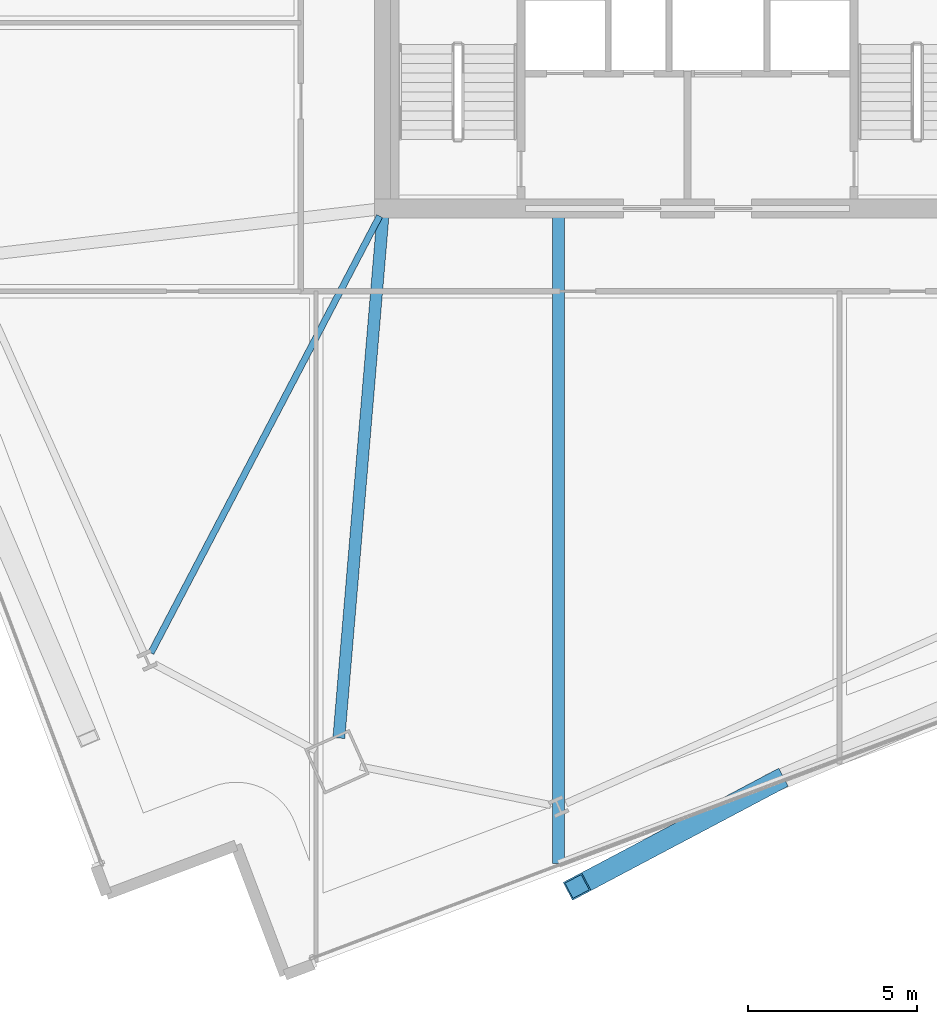
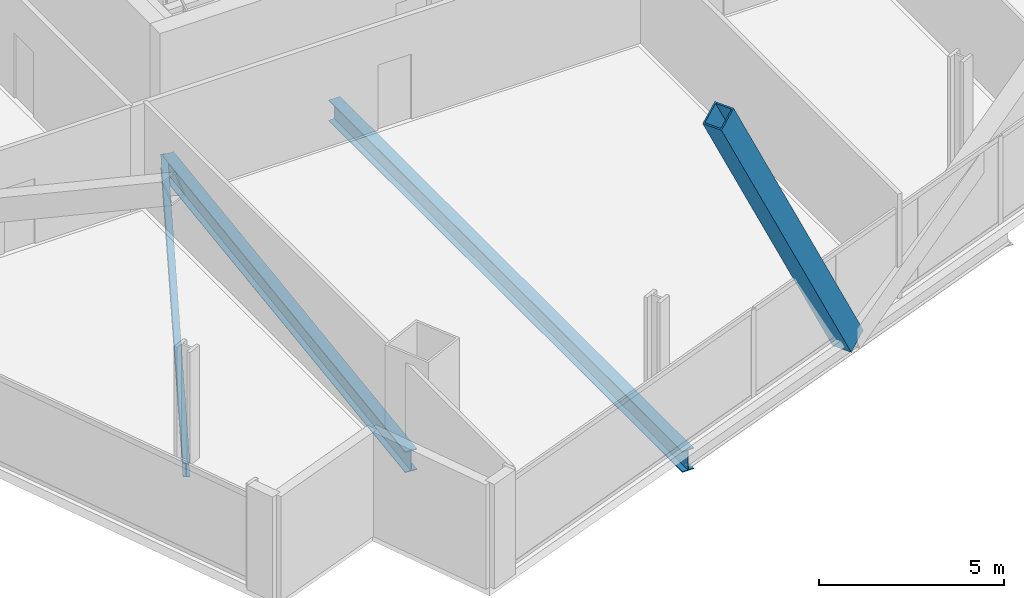
# One storey, part 4 of 37: 3 beams, 1 member.
"""IFC4 building model written with IfcOpenShell, lengths in metres."""

from ifc_helpers import new_model, si_unit, direction, frame, origin, origin_2d, place, context, subcontext, project, spatial, hollow_rectangle, i_section, extrude, material, material_profile, profile_set, type_object, element, save


model = new_model("IFC4")

# Units and contexts
model_context = context("Model", 3, precision=1e-05, world=origin(), true_north=direction((0.0, 1.0)))
body_context = subcontext(model_context, "Body", "Model", "MODEL_VIEW")
ifc_project = project(units=[si_unit("LENGTHUNIT", "METRE"), si_unit("AREAUNIT", "SQUARE_METRE"), si_unit("VOLUMEUNIT", "CUBIC_METRE"), si_unit("PLANEANGLEUNIT", "RADIAN"), si_unit("MASSUNIT", "GRAM", prefix="KILO")], contexts=[model_context])

# Site, building, storey
site_placement = place(None, origin())
site = spatial("IfcSite", under=ifc_project, at=site_placement, CompositionType="ELEMENT")
building_placement = place(site_placement, origin())
building = spatial("IfcBuilding", under=site, at=building_placement, Name="Haldenkirk Collegiate Tower", CompositionType="ELEMENT")
storey_placement = place(building_placement, frame((0.0, 0.0, 97.949951171875)))
storey = spatial("IfcBuildingStorey", under=building, at=storey_placement, Name="L23", CompositionType="ELEMENT", Elevation=97.949951171875)

# Beams
ifc_material_1 = material(Name="Steel ASTM A992 Grade 50", Category="steel")
ifc_material_profile_1 = material_profile(ifc_material_1, i_section(OverallWidth=0.35498046875, OverallDepth=0.696044921875, WebThickness=0.015380859375, FlangeThickness=0.02490234375, at=origin_2d()), Name="W27X146")
ifc_profile_set_1 = profile_set([ifc_material_profile_1], Name="Steel ASTM A992 Grade 50")
beam_type_1 = type_object("IfcBeamType", Name="BM-GIRDER-W27X146", PredefinedType="BEAM", material=ifc_profile_set_1)
beam_1_placement = place(storey_placement, frame((25.67578125, 2.3203125, -0.64794921875), z_axis=(0.084153524607, 0.996452800837, 0.0), x_axis=(-0.996452800837, 0.084153524607, 0.0)))
element("IfcBeam", 1, at=beam_1_placement, inside=storey, type_object=beam_type_1, Name="L23 primary floor girder 01", PredefinedType="BEAM", context=body_context, shape_type="SweptSolid", body=[
    extrude(i_section(OverallWidth=0.35498046875, OverallDepth=0.696044921875, WebThickness=0.015380859375, FlangeThickness=0.02490234375, at=origin_2d()), origin(), (0.0, 0.0, 1.0), 15.48046875),
])
beam_2_placement = place(storey_placement, frame((32.181396484375, -1.3984375, -0.64794921875), z_axis=(0.0, 1.0, 0.0), x_axis=(-1.0, 0.0, 0.0)))
element("IfcBeam", 2, at=beam_2_placement, inside=storey, type_object=beam_type_1, Name="L23 primary floor girder 05", PredefinedType="BEAM", context=body_context, shape_type="SweptSolid", body=[
    extrude(i_section(OverallWidth=0.35498046875, OverallDepth=0.696044921875, WebThickness=0.015380859375, FlangeThickness=0.02490234375, at=origin_2d()), origin(), (0.0, 0.0, 1.0), 19.1435546875),
])
ifc_material_profile_2 = material_profile(ifc_material_1, i_section(OverallWidth=0.19189453125, OverallDepth=0.462890625, WebThickness=0.010498046875, FlangeThickness=0.017578125, at=origin_2d()), Name="W18X60")
ifc_profile_set_2 = profile_set([ifc_material_profile_2], Name="Steel ASTM A992 Grade 50")
beam_type_2 = type_object("IfcBeamType", Name="BM-JOIST-W18X60", PredefinedType="JOIST", material=ifc_profile_set_2)
beam_3_placement = place(storey_placement, frame((20.10986328125, 4.838623046875, -0.531494140625), z_axis=(0.463790173169, 0.885945074636, 0.0), x_axis=(-0.885945074636, 0.463790173169, 0.0)))
element("IfcBeam", 3, at=beam_3_placement, inside=storey, type_object=beam_type_2, Name="L23 composite floor joist 16", PredefinedType="JOIST", context=body_context, shape_type="SweptSolid", body=[
    extrude(i_section(OverallWidth=0.19189453125, OverallDepth=0.462890625, WebThickness=0.010498046875, FlangeThickness=0.017578125, at=origin_2d()), origin(), (0.0, 0.0, 1.0), 14.600830078125),
])

# Member
ifc_material_2 = material(Name="Steel ASTM A572 Grade 50", Category="steel")
ifc_material_profile_3 = material_profile(ifc_material_2, hollow_rectangle(XDim=0.60009765625, YDim=0.719970703125, WallThickness=0.044921875, at=origin_2d()), Name="BOX720X600X45")
ifc_profile_set_3 = profile_set([ifc_material_profile_3], Name="Steel ASTM A572 Grade 50")
member_type = type_object("IfcMemberType", Name="MBR-MEGABRACE-BOX720X600X45", PredefinedType="BRACE", material=ifc_profile_set_3)
member_placement = place(storey_placement, frame((38.56640625, 1.01416015625, -0.31005859375), z_axis=(-0.447467029126, -0.236833762174, 0.862370585618), x_axis=(0.467794305806, -0.883837364822, 0.0)))
element("IfcMember", 4, at=member_placement, inside=storey, type_object=member_type, Name="Perimeter Mega Brace Z2 L23-L25 SL", PredefinedType="BRACE", context=body_context, shape_type="SweptSolid", body=[
    extrude(hollow_rectangle(XDim=0.60009765625, YDim=0.719970703125, WallThickness=0.044921875, at=origin_2d()), origin(), (0.0, 0.0, 1.0), 13.04541015625),
])

save(model, "model.ifc")
